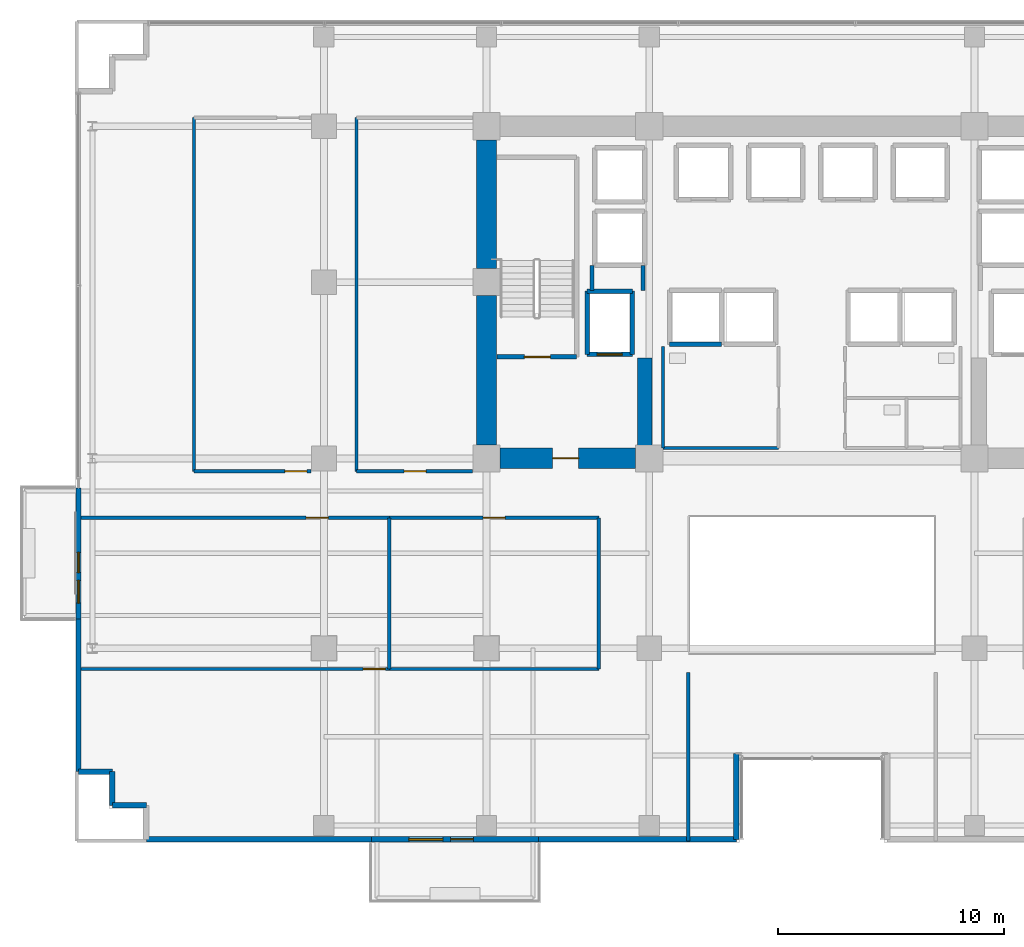
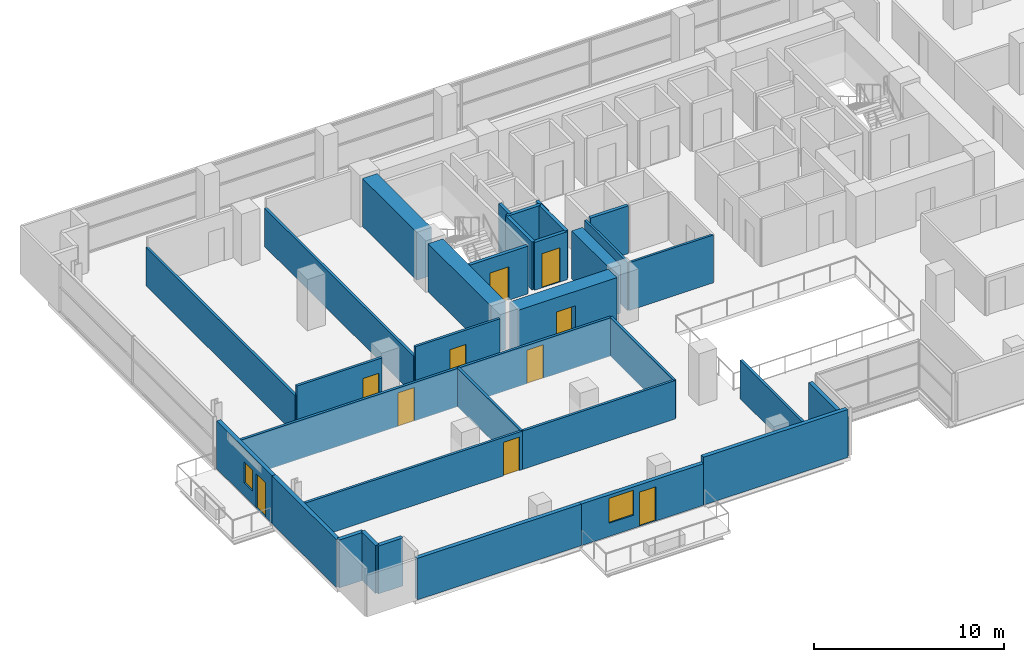
# One storey, part 23 of 30: 34 walls, 10 doors, 2 windows, 12 openings.
"""IFC4 building model written with IfcOpenShell, lengths in metres."""

import ifcopenshell
import ifcopenshell.guid

model = None  # the IFC model being written
_history = None  # IfcOwnerHistory: only IFC2X3 demands one
_inside = {}  # id of a spatial element -> (the spatial element, [elements in it])
_under = {}  # id of a project, library or spatial element -> (it, [spatial elements below it])
_declared = {}  # id of a project -> (the project, [libraries it declares])
_typed = {}  # id of a type object -> (the type object, [elements of that type])
_made_of = {}  # id of a material, layer set ... -> (it, [elements and type objects made of it])


def new_model(schema):
    """Start an empty IFC model of exactly this schema.

    Asked for "IFC4X3", IfcOpenShell would pick the latest addendum, in which some entities
    have other attributes; the version numbers below select the first issue.
    IFC2X3 requires an IfcOwnerHistory on every rooted entity: one is made here for all.
    """
    global model, _history
    if schema == "IFC4X3":
        model = ifcopenshell.file(schema_version=(4, 3, 0, 0))
    else:
        model = ifcopenshell.file(schema=schema)
    _inside.clear()
    _under.clear()
    _declared.clear()
    _typed.clear()
    _made_of.clear()
    _history = None
    if model.schema == "IFC2X3":
        org = make("IfcOrganization", Name="unknown")
        user = make(
            "IfcPersonAndOrganization",
            ThePerson=make("IfcPerson", FamilyName="unknown"),
            TheOrganization=org,
        )
        app = make(
            "IfcApplication",
            ApplicationDeveloper=org,
            Version="unknown",
            ApplicationFullName="unknown",
            ApplicationIdentifier="unknown",
        )
        _history = make(
            "IfcOwnerHistory",
            OwningUser=user,
            OwningApplication=app,
            ChangeAction="ADDED",
            CreationDate=0,
        )
    return model


def make(cls, **values):
    """One entity of the class cls with the attributes given. An attribute that is None is left unset."""
    return model.create_entity(
        cls, **{name: value for name, value in values.items() if value is not None}
    )


def rooted(cls, **values):
    """An entity with a GlobalId (a new one), such as an element, a storey or a relation."""
    return make(cls, GlobalId=ifcopenshell.guid.new(), OwnerHistory=_history, **values)


def si_unit(unit_type, name, prefix=None):
    """IfcSIUnit, for example si_unit("LENGTHUNIT", "METRE", prefix="MILLI")."""
    return make("IfcSIUnit", UnitType=unit_type, Prefix=prefix, Name=name)


def assignment(units):
    """IfcUnitAssignment: the units of a project."""
    return None if units is None else make("IfcUnitAssignment", Units=units)


def point(xyz):
    """IfcCartesianPoint."""
    return None if xyz is None else make("IfcCartesianPoint", Coordinates=xyz)


def direction(xyz):
    """IfcDirection."""
    return None if xyz is None else make("IfcDirection", DirectionRatios=xyz)


def frame(location, z_axis=None, x_axis=None):
    """IfcAxis2Placement3D, a coordinate frame: its origin and axes. An axis left out is left unset."""
    return make(
        "IfcAxis2Placement3D",
        Location=point(location),
        Axis=direction(z_axis),
        RefDirection=direction(x_axis),
    )


def frame_2d(location, x_axis=None):
    """IfcAxis2Placement2D, a coordinate frame in the plane: its origin and x axis."""
    return make(
        "IfcAxis2Placement2D", Location=point(location), RefDirection=direction(x_axis)
    )


def origin():
    """The frame at (0, 0, 0) with its axes left unset."""
    return frame((0.0, 0.0, 0.0))


def place(relative_to, where):
    """IfcLocalPlacement: puts the frame where relative to a parent placement (None: the world)."""
    return make(
        "IfcLocalPlacement", PlacementRelTo=relative_to, RelativePlacement=where
    )


def context(
    kind, dimensions, precision=None, world=None, true_north=None, identifier=None
):
    """IfcGeometricRepresentationContext, for example the 3D "Model" context."""
    return make(
        "IfcGeometricRepresentationContext",
        ContextIdentifier=identifier,
        ContextType=kind,
        CoordinateSpaceDimension=dimensions,
        Precision=precision,
        WorldCoordinateSystem=world,
        TrueNorth=true_north,
    )


def subcontext(parent, identifier, kind, view, scale=None):
    """IfcGeometricRepresentationSubContext, for example "Body" below "Model"."""
    return make(
        "IfcGeometricRepresentationSubContext",
        ContextIdentifier=identifier,
        ContextType=kind,
        ParentContext=parent,
        TargetScale=scale,
        TargetView=view,
    )


def project(units=None, contexts=None):
    """IfcProject with its units and contexts."""
    return rooted(
        "IfcProject",
        Name="project",
        RepresentationContexts=contexts,
        UnitsInContext=assignment(units),
    )


def spatial(cls, under=None, at=None, **own):
    """A site, building, storey or space (cls), placed at a placement, below another one or the project."""
    s = rooted(cls, ObjectPlacement=at, **own)
    if under is not None:
        _under.setdefault(under.id(), (under, []))[1].append(s)
    return s


def profile(cls, at=None, kind="AREA", **sizes):
    """A parametric profile (cls). Its sizes go by their IFC names, for example OverallWidth=200.0."""
    return make(cls, ProfileType=kind, Position=at, **sizes)


def rectangle(**sizes):
    """IfcRectangleProfileDef."""
    return profile("IfcRectangleProfileDef", **sizes)


def extrude(swept, where, along, depth):
    """IfcExtrudedAreaSolid: the profile swept, set in the frame where, extruded along a direction by depth."""
    return make(
        "IfcExtrudedAreaSolid",
        SweptArea=swept,
        Position=where,
        ExtrudedDirection=direction(along),
        Depth=depth,
    )


def shape(context_of_items, identifier, shape_type, items):
    """IfcShapeRepresentation: the items that make up one representation, for example the "Body"."""
    return make(
        "IfcShapeRepresentation",
        ContextOfItems=context_of_items,
        RepresentationIdentifier=identifier,
        RepresentationType=shape_type,
        Items=items,
    )


def source(mapping_origin, context_of_items, identifier, shape_type, items):
    """IfcRepresentationMap: a shape defined once, which mapped items show again and again."""
    return make(
        "IfcRepresentationMap",
        MappingOrigin=mapping_origin,
        MappedRepresentation=shape(context_of_items, identifier, shape_type, items),
    )


def transform(
    local_origin,
    x_axis=None,
    y_axis=None,
    z_axis=None,
    scale=None,
    scale2=None,
    scale3=None,
    uniform=True,
):
    """IfcCartesianTransformationOperator3D, or its non-uniform kind. x_axis, y_axis, z_axis: its Axis1, 2, 3."""
    if uniform:
        return make(
            "IfcCartesianTransformationOperator3D",
            Axis1=direction(x_axis),
            Axis2=direction(y_axis),
            LocalOrigin=point(local_origin),
            Scale=scale,
            Axis3=direction(z_axis),
        )
    return make(
        "IfcCartesianTransformationOperator3DnonUniform",
        Axis1=direction(x_axis),
        Axis2=direction(y_axis),
        LocalOrigin=point(local_origin),
        Scale=scale,
        Axis3=direction(z_axis),
        Scale2=scale2,
        Scale3=scale3,
    )


def mapped(mapping_source, mapping_target):
    """IfcMappedItem: shows the shape of a source again, moved by a transform."""
    return make(
        "IfcMappedItem", MappingSource=mapping_source, MappingTarget=mapping_target
    )


def material(Name=None, Category=None):
    """IfcMaterial."""
    return make("IfcMaterial", Name=Name, Category=Category)


def layer(
    of_material, thickness, ventilated=None, Name=None, Category=None, Priority=None
):
    """IfcMaterialLayer: one layer of a wall or slab, of a material (None: an air gap)."""
    return make(
        "IfcMaterialLayer",
        Material=of_material,
        LayerThickness=thickness,
        IsVentilated=ventilated,
        Name=Name,
        Category=Category,
        Priority=Priority,
    )


def layer_set(layers, Name=None):
    """IfcMaterialLayerSet."""
    return make("IfcMaterialLayerSet", MaterialLayers=layers, LayerSetName=Name)


def made_of(thing, what):
    """Note that an element or type object is made of a material, layer set ...; save() writes the relation."""
    if what is not None:
        _made_of.setdefault(what.id(), (what, []))[1].append(thing)
    return thing


def type_object(cls, material=None, **own):
    """A type object (cls), such as IfcWallType, which elements share."""
    return made_of(rooted(cls, **own), material)


def element(
    cls,
    number,
    at=None,
    inside=None,
    cuts=None,
    type_object=None,
    material=None,
    context=None,
    identifier="Body",
    shape_type=None,
    held_by="IfcProductDefinitionShape",
    body=None,
    shapes=None,
    **own,
):
    """One element of the class cls, such as IfcWall. Its Tag is "e" and its number.

    at: its placement. inside: the storey or other place that contains it. cuts: it is an
    opening in that element (IfcRelVoidsElement). A single representation is given by context,
    identifier, shape_type and body (its items); several are given by shapes. held_by: the class
    of the entity that holds the representations. save() writes the other relations.
    """
    e = rooted(cls, Tag="e%d" % number, ObjectPlacement=at, **own)
    if body is not None:
        shapes = [shape(context, identifier, shape_type, body)]
    if shapes is not None:
        e.Representation = make(held_by, Representations=shapes)
    if inside is not None:
        _inside.setdefault(inside.id(), (inside, []))[1].append(e)
    if cuts is not None:
        rooted(
            "IfcRelVoidsElement", RelatingBuildingElement=cuts, RelatedOpeningElement=e
        )
    if type_object is not None:
        _typed.setdefault(type_object.id(), (type_object, []))[1].append(e)
    return made_of(e, material)


def fill(opening, filler):
    """IfcRelFillsElement: the door or window that sits in an opening."""
    return rooted(
        "IfcRelFillsElement",
        RelatingOpeningElement=opening,
        RelatedBuildingElement=filler,
    )


def aggregate(whole, parts):
    """IfcRelAggregates: a whole, such as a stair, and the parts it consists of."""
    return rooted("IfcRelAggregates", RelatingObject=whole, RelatedObjects=parts)


def save(model, path):
    """Write the relations noted so far, then the file.

    IfcRelAggregates (storeys below a building ...), IfcRelContainedInSpatialStructure (elements
    in a storey), IfcRelDefinesByType, IfcRelAssociatesMaterial and IfcRelDeclares: one each for
    every whole, place, type object, material and project.
    """
    for whole, parts in _under.values():
        aggregate(whole, parts)
    for where, things in _inside.values():
        rooted(
            "IfcRelContainedInSpatialStructure",
            RelatedElements=things,
            RelatingStructure=where,
        )
    for kind, things in _typed.values():
        rooted("IfcRelDefinesByType", RelatedObjects=things, RelatingType=kind)
    for what, things in _made_of.values():
        rooted("IfcRelAssociatesMaterial", RelatedObjects=things, RelatingMaterial=what)
    for by, libraries in _declared.values():
        rooted("IfcRelDeclares", RelatingContext=by, RelatedDefinitions=libraries)
    model.write(path)


model = new_model("IFC4")

# Units and contexts
model_context = context("Model", 3, precision=1e-05, world=origin(), true_north=direction((0.0, 1.0)))
body_context = subcontext(model_context, "Body", "Model", "MODEL_VIEW")
ifc_project = project(units=[si_unit("LENGTHUNIT", "METRE"), si_unit("AREAUNIT", "SQUARE_METRE"), si_unit("VOLUMEUNIT", "CUBIC_METRE"), si_unit("PLANEANGLEUNIT", "RADIAN"), si_unit("MASSUNIT", "GRAM", prefix="KILO")], contexts=[model_context])

# Site, building, storey
site_placement = place(None, origin())
site = spatial("IfcSite", under=ifc_project, at=site_placement, CompositionType="ELEMENT")
building_placement = place(site_placement, origin())
building = spatial("IfcBuilding", under=site, at=building_placement, Name="Zarnakvel Exchange Tower", CompositionType="ELEMENT")
storey_placement = place(building_placement, frame((0.0, 0.0, 34.0)))
storey = spatial("IfcBuildingStorey", under=building, at=storey_placement, Name="L08", CompositionType="ELEMENT", Elevation=34.0)

# Walls
ifc_material_1 = material(Name="Concrete C80/95", Category="concrete")
ifc_layer_1 = layer(ifc_material_1, 0.89990234375)
ifc_layer_set_1 = layer_set([ifc_layer_1], Name="Concrete C80/95")
wall_type_1 = type_object("IfcWallType", Name="CW-C1", PredefinedType="SHEAR", material=ifc_layer_set_1)
wall_1_placement = place(storey_placement, frame((-14.39990234375, -0.60009765625, 0.0), z_axis=(0.0, 0.0, 1.0), x_axis=(0.0, 1.0, 0.0)))
element("IfcWall", 1, at=wall_1_placement, inside=storey, type_object=wall_type_1, Name="L08 Rear Core Shear Wall W1 (CW-C1)", PredefinedType="SHEAR", context=body_context, shape_type="SweptSolid", body=[
    extrude(rectangle(XDim=6.60009765625, YDim=0.89990234375, at=frame_2d((3.300048828125, 0.0))), origin(), (0.0, 0.0, 1.0), 3.074951171875),
])
wall_2_placement = place(storey_placement, frame((-14.39990234375, 7.199951171875, 0.0), z_axis=(0.0, 0.0, 1.0), x_axis=(0.0, 1.0, 0.0)))
element("IfcWall", 2, at=wall_2_placement, inside=storey, type_object=wall_type_1, Name="L08 Rear Core Shear Wall W2 (CW-C1)", PredefinedType="SHEAR", context=body_context, shape_type="SweptSolid", body=[
    extrude(rectangle(XDim=5.699951171875, YDim=0.89990234375, at=frame_2d((2.85009765625, 0.0))), origin(), (0.0, 0.0, 1.0), 3.074951171875),
])

# Wall, opening, door
wall_3_placement = place(storey_placement, frame((-7.800048828125, -1.199951171875, 0.0), z_axis=(0.0, 0.0, 1.0), x_axis=(-1.0, 0.0, 0.0)))
wall_3 = element("IfcWall", 3, at=wall_3_placement, inside=storey, type_object=wall_type_1, Name="L08 Rear Core Shear Wall SW (CW-C1)", PredefinedType="SHEAR", context=body_context, shape_type="SweptSolid", body=[
    extrude(rectangle(XDim=6.0, YDim=0.89990234375, at=frame_2d((3.0, 0.0))), origin(), (0.0, 0.0, 1.0), 3.074951171875),
])
opening_1_placement = place(wall_3_placement, frame((2.52490234375, 0.0, 0.0)))
opening_1 = element("IfcOpeningElement", 4, at=opening_1_placement, cuts=wall_3, Name="Opening D-L08-03", PredefinedType="OPENING", context=body_context, shape_type="SweptSolid", body=[
    extrude(rectangle(XDim=1.14990234375, YDim=2.14990234375, at=frame_2d((0.574951171875, 1.074951171875))), frame((0.0, 0.4599609375, 0.0), z_axis=(0.0, -1.0, 0.0), x_axis=(1.0, 0.0, 0.0)), (0.0, 0.0, 1.0), 0.919921875),
])
ifc_material_2 = material(Name="Painted Galvanised Steel S355", Category="steel")
door_type_1 = type_object("IfcDoorType", Name="DT-04", OperationType="NOTDEFINED", PredefinedType="DOOR", material=ifc_material_2)
shared_shape_1 = source(origin(), body_context, "Body", "SweptSolid", [
    extrude(rectangle(XDim=1.14990234375, YDim=2.14990234375, at=frame_2d((0.574951171875, 1.074951171875))), frame((0.0, 0.02490234375, 0.0), z_axis=(0.0, -1.0, 0.0), x_axis=(1.0, 0.0, 0.0)), (0.0, 0.0, 1.0), 0.050048828125),
])
door_1_placement = place(opening_1_placement, origin())
door_1 = element("IfcDoor", 5, at=door_1_placement, inside=storey, type_object=door_type_1, Name="L08 Firefighting Lobby West Door D-L08-03", OperationType="SINGLE_SWING_LEFT", OverallHeight=2.14990234375, OverallWidth=1.14990234375, PredefinedType="DOOR", context=body_context, shape_type="MappedRepresentation", body=[
    mapped(shared_shape_1, transform((0.0, 0.0, 0.0), x_axis=(1.0, 0.0, 0.0), y_axis=(0.0, 1.0, 0.0), z_axis=(0.0, 0.0, 1.0), scale=1.0)),
])
fill(opening_1, door_1)

# Wall
ifc_layer_2 = layer(ifc_material_1, 0.64990234375)
ifc_layer_set_2 = layer_set([ifc_layer_2], Name="Concrete C80/95")
wall_type_2 = type_object("IfcWallType", Name="CW-C2", PredefinedType="SHEAR", material=ifc_layer_set_2)
wall_4_placement = place(storey_placement, frame((-7.39990234375, -0.75, 0.0), z_axis=(0.0, 0.0, 1.0), x_axis=(0.0, 1.0, 0.0)))
element("IfcWall", 6, at=wall_4_placement, inside=storey, type_object=wall_type_2, Name="L08 Rear Core Shear Wall IW (CW-C2)", PredefinedType="SHEAR", context=body_context, shape_type="SweptSolid", body=[
    extrude(rectangle(XDim=4.0, YDim=0.64990234375, at=frame_2d((2.0, 0.0))), origin(), (0.0, 0.0, 1.0), 3.074951171875),
])

# Wall, openings, door, window
ifc_material_3 = material(Name="Precast concrete C40/50", Category="concrete")
ifc_layer_3 = layer(ifc_material_3, 0.239990234375)
ifc_layer_set_3 = layer_set([ifc_layer_3], Name="Precast concrete C40/50")
wall_type_3 = type_object("IfcWallType", Name="EW-02", PredefinedType="SOLIDWALL", material=ifc_layer_set_3)
wall_5_placement = place(storey_placement, frame((-12.10009765625, -18.06005859375, 0.0), z_axis=(0.0, 0.0, 1.0), x_axis=(-1.0, 0.0, 0.0)))
wall_5 = element("IfcWall", 7, at=wall_5_placement, inside=storey, type_object=wall_type_3, Name="L08 Exterior Precast Spandrel Wall EW-BAL-L08-SW (EW-02)", PredefinedType="SOLIDWALL", context=body_context, shape_type="SweptSolid", body=[
    extrude(rectangle(XDim=7.39990234375, YDim=0.239990234375, at=frame_2d((3.699951171875, 0.0))), origin(), (0.0, 0.0, 1.0), 2.6650390625),
])
opening_2_placement = place(wall_5_placement, frame((2.885986328125, 0.0, 0.0)))
opening_2 = element("IfcOpeningElement", 8, at=opening_2_placement, cuts=wall_5, Name="Opening BD-L08-01", PredefinedType="OPENING", context=body_context, shape_type="SweptSolid", body=[
    extrude(rectangle(XDim=1.0, YDim=2.199951171875, at=frame_2d((0.5, 1.10009765625))), frame((0.0, 0.1298828125, 0.0), z_axis=(0.0, -1.0, 0.0), x_axis=(1.0, 0.0, 0.0)), (0.0, 0.0, 1.0), 0.260009765625),
])
opening_3_placement = place(wall_5_placement, frame((4.236083984375, 0.0, 0.85009765625)))
opening_3 = element("IfcOpeningElement", 9, at=opening_3_placement, cuts=wall_5, Name="Opening WN-03", PredefinedType="OPENING", context=body_context, shape_type="SweptSolid", body=[
    extrude(rectangle(XDim=1.5, YDim=1.60009765625, at=frame_2d((0.75, 0.800048828125))), frame((0.0, 0.1298828125, 0.0), z_axis=(0.0, -1.0, 0.0), x_axis=(1.0, 0.0, 0.0)), (0.0, 0.0, 1.0), 0.260009765625),
])
ifc_material_4 = material(Name="Architectural Bronze Anodised Aluminium", Category="aluminium")
door_type_2 = type_object("IfcDoorType", Name="DT-09", OperationType="NOTDEFINED", PredefinedType="DOOR", material=ifc_material_4)
shared_shape_2 = source(origin(), body_context, "Body", "SweptSolid", [
    extrude(rectangle(XDim=1.0, YDim=2.199951171875, at=frame_2d((0.5, 1.10009765625))), frame((0.0, 0.02490234375, 0.0), z_axis=(0.0, -1.0, 0.0), x_axis=(1.0, 0.0, 0.0)), (0.0, 0.0, 1.0), 0.050048828125),
])
door_2_placement = place(opening_2_placement, origin())
door_2 = element("IfcDoor", 10, at=door_2_placement, inside=storey, type_object=door_type_2, Name="L08 Planted Loggia Balcony Door BD-L08-01", OperationType="SINGLE_SWING_RIGHT", OverallHeight=2.199951171875, OverallWidth=1.0, PredefinedType="DOOR", context=body_context, shape_type="MappedRepresentation", body=[
    mapped(shared_shape_2, transform((0.0, 0.0, 0.0), x_axis=(1.0, 0.0, 0.0), y_axis=(0.0, 1.0, 0.0), z_axis=(0.0, 0.0, 1.0), scale=1.0)),
])
fill(opening_2, door_2)
ifc_material_5 = material(Name="Double Low-E Laminated Vision Glass", Category="glass")
window_type_1 = type_object("IfcWindowType", Name="WN-03", PartitioningType="SINGLE_PANEL", PredefinedType="WINDOW", material=ifc_material_5)
shared_shape_3 = source(origin(), body_context, "Body", "SweptSolid", [
    extrude(rectangle(XDim=1.5, YDim=1.60009765625, at=frame_2d((0.75, 0.800048828125))), frame((0.0, 0.030029296875, 0.0), z_axis=(0.0, -1.0, 0.0), x_axis=(1.0, 0.0, 0.0)), (0.0, 0.0, 1.0), 0.06005859375),
])
window_1_placement = place(opening_3_placement, origin())
window_1 = element("IfcWindow", 11, at=window_1_placement, inside=storey, type_object=window_type_1, Name="L08 Loggia Daylight Window (WN-03)", OverallHeight=1.60009765625, OverallWidth=1.5, PartitioningType="SINGLE_PANEL", PredefinedType="WINDOW", context=body_context, shape_type="MappedRepresentation", body=[
    mapped(shared_shape_3, transform((0.0, 0.0, 0.0), x_axis=(1.0, 0.0, 0.0), y_axis=(0.0, 1.0, 0.0), z_axis=(0.0, 0.0, 1.0), scale=1.0)),
])
fill(opening_3, window_1)

wall_6_placement = place(storey_placement, frame((-32.4599609375, -8.300048828125, 0.0), z_axis=(0.0, 0.0, 1.0), x_axis=(0.0, 1.0, 0.0)))
wall_6 = element("IfcWall", 12, at=wall_6_placement, inside=storey, type_object=wall_type_3, Name="L08 Exterior Precast Spandrel Wall EW-BAL-L08-W (EW-02)", PredefinedType="SOLIDWALL", context=body_context, shape_type="SweptSolid", body=[
    extrude(rectangle(XDim=5.800048828125, YDim=0.239990234375, at=frame_2d((2.89990234375, 0.0))), origin(), (0.0, 0.0, 1.0), 3.074951171875),
])
opening_4_placement = place(wall_6_placement, frame((0.696044921875, 0.0, 0.0)))
opening_4 = element("IfcOpeningElement", 13, at=opening_4_placement, cuts=wall_6, Name="Opening BD-L08-03", PredefinedType="OPENING", context=body_context, shape_type="SweptSolid", body=[
    extrude(rectangle(XDim=1.0, YDim=2.199951171875, at=frame_2d((0.5, 1.10009765625))), frame((0.0, 0.1298828125, 0.0), z_axis=(0.0, -1.0, 0.0), x_axis=(1.0, 0.0, 0.0)), (0.0, 0.0, 1.0), 0.260009765625),
])
opening_5_placement = place(wall_6_placement, frame((2.0458984375, 0.0, 0.85009765625)))
opening_5 = element("IfcOpeningElement", 14, at=opening_5_placement, cuts=wall_6, Name="Opening WN-06", PredefinedType="OPENING", context=body_context, shape_type="SweptSolid", body=[
    extrude(rectangle(XDim=0.89990234375, YDim=1.35009765625, at=frame_2d((0.449951171875, 0.675048828125))), frame((0.0, 0.1298828125, 0.0), z_axis=(0.0, -1.0, 0.0), x_axis=(1.0, 0.0, 0.0)), (0.0, 0.0, 1.0), 0.260009765625),
])
door_3_placement = place(opening_4_placement, origin())
door_3 = element("IfcDoor", 15, at=door_3_placement, inside=storey, type_object=door_type_2, Name="L08 Planted Loggia Balcony Door BD-L08-03", OperationType="SINGLE_SWING_RIGHT", OverallHeight=2.199951171875, OverallWidth=1.0, PredefinedType="DOOR", context=body_context, shape_type="MappedRepresentation", body=[
    mapped(shared_shape_2, transform((0.0, 0.0, 0.0), x_axis=(1.0, 0.0, 0.0), y_axis=(0.0, 1.0, 0.0), z_axis=(0.0, 0.0, 1.0), scale=1.0)),
])
fill(opening_4, door_3)
window_type_2 = type_object("IfcWindowType", Name="WN-06", PartitioningType="SINGLE_PANEL", PredefinedType="WINDOW", material=ifc_material_5)
shared_shape_4 = source(origin(), body_context, "Body", "SweptSolid", [
    extrude(rectangle(XDim=0.89990234375, YDim=1.35009765625, at=frame_2d((0.449951171875, 0.675048828125))), frame((0.0, 0.030029296875, 0.0), z_axis=(0.0, -1.0, 0.0), x_axis=(1.0, 0.0, 0.0)), (0.0, 0.0, 1.0), 0.06005859375),
])
window_2_placement = place(opening_5_placement, origin())
window_2 = element("IfcWindow", 16, at=window_2_placement, inside=storey, type_object=window_type_2, Name="L08 Loggia Daylight Window (WN-06)", OverallHeight=1.35009765625, OverallWidth=0.89990234375, PartitioningType="SINGLE_PANEL", PredefinedType="WINDOW", context=body_context, shape_type="MappedRepresentation", body=[
    mapped(shared_shape_4, transform((0.0, 0.0, 0.0), x_axis=(1.0, 0.0, 0.0), y_axis=(0.0, 1.0, 0.0), z_axis=(0.0, 0.0, 1.0), scale=1.0)),
])
fill(opening_5, window_2)

# Walls
wall_7_placement = place(storey_placement, frame((-32.4599609375, -8.300048828125, 0.0), z_axis=(0.0, 0.0, 1.0), x_axis=(0.0, -1.0, 0.0)))
element("IfcWall", 17, at=wall_7_placement, inside=storey, type_object=wall_type_3, Name="L08 Exterior Precast Spandrel Wall EWC-L08-01 (EW-02)", PredefinedType="SOLIDWALL", context=body_context, shape_type="SweptSolid", body=[
    extrude(rectangle(XDim=6.760009765625, YDim=0.239990234375, at=frame_2d((3.3798828125, 0.0))), origin(), (0.0, 0.0, 1.0), 3.074951171875),
])
wall_8_placement = place(storey_placement, frame((-3.340087890625, -18.06005859375, 0.0), z_axis=(0.0, 0.0, 1.0), x_axis=(0.0, 1.0, 0.0)))
element("IfcWall", 18, at=wall_8_placement, inside=storey, type_object=wall_type_3, Name="L08 Exterior Precast Spandrel Wall EWC-L08-20 (EW-02)", PredefinedType="SOLIDWALL", context=body_context, shape_type="SweptSolid", body=[
    extrude(rectangle(XDim=3.800048828125, YDim=0.239990234375, at=frame_2d((1.89990234375, 0.0))), origin(), (0.0, 0.0, 1.0), 2.465087890625),
])
wall_9_placement = place(storey_placement, frame((-12.10009765625, -18.06005859375, 0.0), z_axis=(0.0, 0.0, 1.0), x_axis=(1.0, 0.0, 0.0)))
element("IfcWall", 19, at=wall_9_placement, inside=storey, type_object=wall_type_3, Name="L08 Exterior Precast Spandrel Wall EWC-L08-21 (EW-02)", PredefinedType="SOLIDWALL", context=body_context, shape_type="SweptSolid", body=[
    extrude(rectangle(XDim=8.760009765625, YDim=0.239990234375, at=frame_2d((4.3798828125, 0.0))), origin(), (0.0, 0.0, 1.0), 3.074951171875),
])
wall_10_placement = place(storey_placement, frame((-29.4599609375, -18.06005859375, 0.0), z_axis=(0.0, 0.0, 1.0), x_axis=(1.0, 0.0, 0.0)))
element("IfcWall", 20, at=wall_10_placement, inside=storey, type_object=wall_type_3, Name="L08 Exterior Precast Spandrel Wall EWC-L08-22 (EW-02)", PredefinedType="SOLIDWALL", context=body_context, shape_type="SweptSolid", body=[
    extrude(rectangle(XDim=9.9599609375, YDim=0.239990234375, at=frame_2d((4.97998046875, 0.0))), origin(), (0.0, 0.0, 1.0), 2.6650390625),
])
for number, where, z_axis, x_axis, name in (
    (21, (-30.9599609375, -16.56005859375, 0.0), (0.0, 0.0, 1.0), (1.0, 0.0, 0.0), "L08 Exterior Precast Spandrel Wall EWC-L08-24 (EW-02)"),
    (22, (-30.9599609375, -15.06005859375, 0.0), (0.0, 0.0, 1.0), (0.0, -1.0, 0.0), "L08 Exterior Precast Spandrel Wall EWC-L08-25 (EW-02)"),
    (23, (-32.4599609375, -15.06005859375, 0.0), (0.0, 0.0, 1.0), (1.0, 0.0, 0.0), "L08 Exterior Precast Spandrel Wall EWC-L08-26 (EW-02)"),
):
    element("IfcWall", number, at=place(storey_placement, frame(where, z_axis=z_axis, x_axis=x_axis)), inside=storey, type_object=wall_type_3, Name=name, PredefinedType="SOLIDWALL", context=body_context, shape_type="SweptSolid", body=[
        extrude(rectangle(XDim=1.5, YDim=0.239990234375, at=frame_2d((0.75, 0.0))), origin(), (0.0, 0.0, 1.0), 3.074951171875),
    ])

# Wall, opening, door
ifc_material_6 = material(Name="Fire-Rated Gypsum Stud Partition", Category="gypsum")
ifc_layer_4 = layer(ifc_material_6, 0.14990234375)
ifc_layer_set_4 = layer_set([ifc_layer_4], Name="Fire-Rated Gypsum Stud Partition")
wall_type_4 = type_object("IfcWallType", Name="PT-01", PredefinedType="PARTITIONING", material=ifc_layer_set_4)
wall_11_placement = place(storey_placement, frame((-18.701904296875, -10.52001953125, 0.0), z_axis=(0.0, 0.0, 1.0), x_axis=(-1.0, 0.0, 0.0)))
wall_11 = element("IfcWall", 24, at=wall_11_placement, inside=storey, type_object=wall_type_4, Name="L08 Partition Wall PWALL-L08-022 (PT-01)", PredefinedType="PARTITIONING", context=body_context, shape_type="SweptSolid", body=[
    extrude(rectangle(XDim=13.828125, YDim=0.14990234375, at=frame_2d((6.9140625, 0.0))), origin(), (0.0, 0.0, 1.0), 2.465087890625),
])
opening_6_placement = place(wall_11_placement, frame((0.179931640625, 0.0, 0.0)))
opening_6 = element("IfcOpeningElement", 25, at=opening_6_placement, cuts=wall_11, Name="Opening D-L08-11", PredefinedType="OPENING", context=body_context, shape_type="SweptSolid", body=[
    extrude(rectangle(XDim=0.97998046875, YDim=2.14990234375, at=frame_2d((0.489990234375, 1.074951171875))), frame((0.0, 0.0849609375, 0.0), z_axis=(0.0, -1.0, 0.0), x_axis=(1.0, 0.0, 0.0)), (0.0, 0.0, 1.0), 0.169921875),
])
ifc_material_7 = material(Name="Timber Acoustic Veneer", Category="wood")
door_type_3 = type_object("IfcDoorType", Name="DT-05", OperationType="NOTDEFINED", PredefinedType="DOOR", material=ifc_material_7)
shared_shape_5 = source(origin(), body_context, "Body", "SweptSolid", [
    extrude(rectangle(XDim=0.97998046875, YDim=2.14990234375, at=frame_2d((0.489990234375, 1.074951171875))), frame((0.0, 0.02490234375, 0.0), z_axis=(0.0, -1.0, 0.0), x_axis=(1.0, 0.0, 0.0)), (0.0, 0.0, 1.0), 0.050048828125),
])
door_4_placement = place(opening_6_placement, origin())
door_4 = element("IfcDoor", 26, at=door_4_placement, inside=storey, type_object=door_type_3, Name="L08 Institutional Dealing Room Door D-L08-11", OperationType="SINGLE_SWING_LEFT", OverallHeight=2.14990234375, OverallWidth=0.97998046875, PredefinedType="DOOR", context=body_context, shape_type="MappedRepresentation", body=[
    mapped(shared_shape_5, transform((0.0, 0.0, 0.0), x_axis=(1.0, 0.0, 0.0), y_axis=(0.0, 1.0, 0.0), z_axis=(0.0, 0.0, 1.0), scale=1.0)),
])
fill(opening_6, door_4)

wall_12_placement = place(storey_placement, frame((-32.530029296875, -3.830078125, 0.0), z_axis=(0.0, 0.0, 1.0), x_axis=(1.0, 0.0, 0.0)))
wall_12 = element("IfcWall", 27, at=wall_12_placement, inside=storey, type_object=wall_type_4, Name="L08 Partition Wall PWALL-L08-023 (PT-01)", PredefinedType="PARTITIONING", context=body_context, shape_type="SweptSolid", body=[
    extrude(rectangle(XDim=13.828125, YDim=0.14990234375, at=frame_2d((6.9140625, 0.0))), origin(), (0.0, 0.0, 1.0), 2.465087890625),
])
opening_7_placement = place(wall_12_placement, frame((10.14892578125, 0.0, 0.0)))
opening_7 = element("IfcOpeningElement", 28, at=opening_7_placement, cuts=wall_12, Name="Opening D-L08-09", PredefinedType="OPENING", context=body_context, shape_type="SweptSolid", body=[
    extrude(rectangle(XDim=0.97998046875, YDim=2.14990234375, at=frame_2d((0.489990234375, 1.074951171875))), frame((0.0, 0.0849609375, 0.0), z_axis=(0.0, -1.0, 0.0), x_axis=(1.0, 0.0, 0.0)), (0.0, 0.0, 1.0), 0.169921875),
])
door_5_placement = place(opening_7_placement, origin())
door_5 = element("IfcDoor", 29, at=door_5_placement, inside=storey, type_object=door_type_3, Name="L08 Institutional Dealing Room Door D-L08-09", OperationType="SINGLE_SWING_LEFT", OverallHeight=2.14990234375, OverallWidth=0.97998046875, PredefinedType="DOOR", context=body_context, shape_type="MappedRepresentation", body=[
    mapped(shared_shape_5, transform((0.0, 0.0, 0.0), x_axis=(1.0, 0.0, 0.0), y_axis=(0.0, 1.0, 0.0), z_axis=(0.0, 0.0, 1.0), scale=1.0)),
])
fill(opening_7, door_5)

# Walls
wall_13_placement = place(storey_placement, frame((-18.701904296875, -3.830078125, 0.0), z_axis=(0.0, 0.0, 1.0), x_axis=(0.0, -1.0, 0.0)))
element("IfcWall", 30, at=wall_13_placement, inside=storey, type_object=wall_type_4, Name="L08 Partition Wall PWALL-L08-025 (PT-01)", PredefinedType="PARTITIONING", context=body_context, shape_type="SweptSolid", body=[
    extrude(rectangle(XDim=6.68994140625, YDim=0.14990234375, at=frame_2d((3.344970703125, 0.0))), origin(), (0.0, 0.0, 1.0), 2.465087890625),
])
wall_14_placement = place(storey_placement, frame((-9.429931640625, -10.52001953125, 0.0), z_axis=(0.0, 0.0, 1.0), x_axis=(-1.0, 0.0, 0.0)))
element("IfcWall", 31, at=wall_14_placement, inside=storey, type_object=wall_type_4, Name="L08 Partition Wall PWALL-L08-026 (PT-01)", PredefinedType="PARTITIONING", context=body_context, shape_type="SweptSolid", body=[
    extrude(rectangle(XDim=9.27197265625, YDim=0.14990234375, at=frame_2d((4.635986328125, 0.0))), origin(), (0.0, 0.0, 1.0), 2.465087890625),
])

# Wall, opening, door
wall_15_placement = place(storey_placement, frame((-18.701904296875, -3.830078125, 0.0), z_axis=(0.0, 0.0, 1.0), x_axis=(1.0, 0.0, 0.0)))
wall_15 = element("IfcWall", 32, at=wall_15_placement, inside=storey, type_object=wall_type_4, Name="L08 Partition Wall PWALL-L08-027 (PT-01)", PredefinedType="PARTITIONING", context=body_context, shape_type="SweptSolid", body=[
    extrude(rectangle(XDim=9.27197265625, YDim=0.14990234375, at=frame_2d((4.635986328125, 0.0))), origin(), (0.0, 0.0, 1.0), 2.465087890625),
])
opening_8_placement = place(wall_15_placement, frame((4.14599609375, 0.0, 0.0)))
opening_8 = element("IfcOpeningElement", 33, at=opening_8_placement, cuts=wall_15, Name="Opening D-L08-10", PredefinedType="OPENING", context=body_context, shape_type="SweptSolid", body=[
    extrude(rectangle(XDim=0.97998046875, YDim=2.14990234375, at=frame_2d((0.489990234375, 1.074951171875))), frame((0.0, 0.0849609375, 0.0), z_axis=(0.0, -1.0, 0.0), x_axis=(1.0, 0.0, 0.0)), (0.0, 0.0, 1.0), 0.169921875),
])
door_6_placement = place(opening_8_placement, origin())
door_6 = element("IfcDoor", 34, at=door_6_placement, inside=storey, type_object=door_type_3, Name="L08 Clearing Office Door D-L08-10", OperationType="SINGLE_SWING_RIGHT", OverallHeight=2.14990234375, OverallWidth=0.97998046875, PredefinedType="DOOR", context=body_context, shape_type="MappedRepresentation", body=[
    mapped(shared_shape_5, transform((0.0, 0.0, 0.0), x_axis=(1.0, 0.0, 0.0), y_axis=(0.0, 1.0, 0.0), z_axis=(0.0, 0.0, 1.0), scale=1.0)),
])
fill(opening_8, door_6)

# Walls
wall_16_placement = place(storey_placement, frame((-9.429931640625, -3.830078125, 0.0), z_axis=(0.0, 0.0, 1.0), x_axis=(0.0, -1.0, 0.0)))
element("IfcWall", 35, at=wall_16_placement, inside=storey, type_object=wall_type_4, Name="L08 Partition Wall PWALL-L08-028 (PT-01)", PredefinedType="PARTITIONING", context=body_context, shape_type="SweptSolid", body=[
    extrude(rectangle(XDim=6.68994140625, YDim=0.14990234375, at=frame_2d((3.344970703125, 0.0))), origin(), (0.0, 0.0, 1.0), 2.465087890625),
])
wall_17_placement = place(storey_placement, frame((-5.47998046875, -10.679931640625, 0.0), z_axis=(0.0, 0.0, 1.0), x_axis=(0.0, -1.0, 0.0)))
element("IfcWall", 36, at=wall_17_placement, inside=storey, type_object=wall_type_4, Name="L08 Partition Wall PWALL-L08-031 (PT-01)", PredefinedType="PARTITIONING", context=body_context, shape_type="SweptSolid", body=[
    extrude(rectangle(XDim=7.449951171875, YDim=0.14990234375, at=frame_2d((3.72509765625, 0.0))), origin(), (0.0, 0.0, 1.0), 2.465087890625),
])

# Wall, opening, door
wall_18_placement = place(storey_placement, frame((-22.169921875, -1.77001953125, 0.0), z_axis=(0.0, 0.0, 1.0), x_axis=(-1.0, 0.0, 0.0)))
wall_18 = element("IfcWall", 37, at=wall_18_placement, inside=storey, type_object=wall_type_4, Name="L08 Partition Wall PWALL-L08-042 (PT-01)", PredefinedType="PARTITIONING", context=body_context, shape_type="SweptSolid", body=[
    extrude(rectangle(XDim=5.176513671875, YDim=0.14990234375, at=frame_2d((2.58837890625, 0.0))), origin(), (0.0, 0.0, 1.0), 3.074951171875),
])
opening_9_placement = place(wall_18_placement, frame((0.179931640625, 0.0, 0.0)))
opening_9 = element("IfcOpeningElement", 38, at=opening_9_placement, cuts=wall_18, Name="Opening D-L08-15", PredefinedType="OPENING", context=body_context, shape_type="SweptSolid", body=[
    extrude(rectangle(XDim=0.97998046875, YDim=2.14990234375, at=frame_2d((0.489990234375, 1.074951171875))), frame((0.0, 0.0849609375, 0.0), z_axis=(0.0, -1.0, 0.0), x_axis=(1.0, 0.0, 0.0)), (0.0, 0.0, 1.0), 0.169921875),
])
door_7_placement = place(opening_9_placement, origin())
door_7 = element("IfcDoor", 39, at=door_7_placement, inside=storey, type_object=door_type_3, Name="L08 Breakout Pantry Door D-L08-15", OperationType="SINGLE_SWING_LEFT", OverallHeight=2.14990234375, OverallWidth=0.97998046875, PredefinedType="DOOR", context=body_context, shape_type="MappedRepresentation", body=[
    mapped(shared_shape_5, transform((0.0, 0.0, 0.0), x_axis=(1.0, 0.0, 0.0), y_axis=(0.0, 1.0, 0.0), z_axis=(0.0, 0.0, 1.0), scale=1.0)),
])
fill(opening_9, door_7)

# Walls
for number, where, z_axis, x_axis, name in (
    (40, (-27.346435546875, -1.77001953125, 0.0), (0.0, 0.0, 1.0), (0.0, 1.0, 0.0), "L08 Partition Wall PWALL-L08-044 (PT-01)"),
    (41, (-20.153564453125, 13.8798828125, 0.0), (0.0, 0.0, 1.0), (0.0, -1.0, 0.0), "L08 Partition Wall PWALL-L08-045 (PT-01)"),
):
    element("IfcWall", number, at=place(storey_placement, frame(where, z_axis=z_axis, x_axis=x_axis)), inside=storey, type_object=wall_type_4, Name=name, PredefinedType="PARTITIONING", context=body_context, shape_type="SweptSolid", body=[
        extrude(rectangle(XDim=15.64990234375, YDim=0.14990234375, at=frame_2d((7.824951171875, 0.0))), origin(), (0.0, 0.0, 1.0), 2.465087890625),
    ])

# Wall, opening, door
wall_19_placement = place(storey_placement, frame((-15.02001953125, -1.77001953125, 0.0), z_axis=(0.0, 0.0, 1.0), x_axis=(-1.0, 0.0, 0.0)))
wall_19 = element("IfcWall", 42, at=wall_19_placement, inside=storey, type_object=wall_type_4, Name="L08 Partition Wall PWALL-L08-046 (PT-01)", PredefinedType="PARTITIONING", context=body_context, shape_type="SweptSolid", body=[
    extrude(rectangle(XDim=5.133544921875, YDim=0.14990234375, at=frame_2d((2.56689453125, 0.0))), origin(), (0.0, 0.0, 1.0), 3.074951171875),
])
opening_10_placement = place(wall_19_placement, frame((2.052001953125, 0.0, 0.0)))
opening_10 = element("IfcOpeningElement", 43, at=opening_10_placement, cuts=wall_19, Name="Opening D-L08-16", PredefinedType="OPENING", context=body_context, shape_type="SweptSolid", body=[
    extrude(rectangle(XDim=0.97998046875, YDim=2.14990234375, at=frame_2d((0.489990234375, 1.074951171875))), frame((0.0, 0.0849609375, 0.0), z_axis=(0.0, -1.0, 0.0), x_axis=(1.0, 0.0, 0.0)), (0.0, 0.0, 1.0), 0.169921875),
])
door_8_placement = place(opening_10_placement, origin())
door_8 = element("IfcDoor", 44, at=door_8_placement, inside=storey, type_object=door_type_3, Name="L08 Settlement Office Door D-L08-16", OperationType="SINGLE_SWING_RIGHT", OverallHeight=2.14990234375, OverallWidth=0.97998046875, PredefinedType="DOOR", context=body_context, shape_type="MappedRepresentation", body=[
    mapped(shared_shape_5, transform((0.0, 0.0, 0.0), x_axis=(1.0, 0.0, 0.0), y_axis=(0.0, 1.0, 0.0), z_axis=(0.0, 0.0, 1.0), scale=1.0)),
])
fill(opening_10, door_8)

# Walls
ifc_layer_5 = layer(ifc_material_6, 0.179931640625)
ifc_layer_set_5 = layer_set([ifc_layer_5], Name="Fire-Rated Gypsum Stud Partition")
wall_type_5 = type_object("IfcWallType", Name="PT-02", PredefinedType="PARTITIONING", material=ifc_layer_set_5)
wall_20_placement = place(storey_placement, frame((-9.72998046875, 6.239990234375, 0.0), z_axis=(0.0, 0.0, 1.0), x_axis=(0.0, 1.0, 0.0)))
element("IfcWall", 45, at=wall_20_placement, inside=storey, type_object=wall_type_5, Name="L08 Partition Wall PWALL-L08-007 (PT-02)", PredefinedType="PARTITIONING", context=body_context, shape_type="SweptSolid", body=[
    extrude(rectangle(XDim=1.090087890625, YDim=0.179931640625, at=frame_2d((0.544921875, 0.0))), origin(), (0.0, 0.0, 1.0), 3.074951171875),
])
wall_21_placement = place(storey_placement, frame((-7.469970703125, 7.330078125, 0.0), z_axis=(0.0, 0.0, 1.0), x_axis=(0.0, -1.0, 0.0)))
element("IfcWall", 46, at=wall_21_placement, inside=storey, type_object=wall_type_5, Name="L08 Partition Wall PWALL-L08-008 (PT-02)", PredefinedType="PARTITIONING", context=body_context, shape_type="SweptSolid", body=[
    extrude(rectangle(XDim=1.090087890625, YDim=0.179931640625, at=frame_2d((0.544921875, 0.0))), origin(), (0.0, 0.0, 1.0), 2.465087890625),
])
ifc_material_8 = material(Name="Moisture-Resistant Tile-Faced Partition", Category="gypsum")
ifc_layer_6 = layer(ifc_material_8, 0.135009765625)
ifc_layer_set_6 = layer_set([ifc_layer_6], Name="Moisture-Resistant Tile-Faced Partition")
wall_type_6 = type_object("IfcWallType", Name="PT-03", PredefinedType="PARTITIONING", material=ifc_layer_set_6)
wall_22_placement = place(storey_placement, frame((-1.469970703125, -0.72998046875, 0.0), z_axis=(0.0, 0.0, 1.0), x_axis=(-1.0, 0.0, 0.0)))
element("IfcWall", 47, at=wall_22_placement, inside=storey, type_object=wall_type_6, Name="L08 Partition Wall PWALL-L08-011 (PT-03)", PredefinedType="PARTITIONING", context=body_context, shape_type="SweptSolid", body=[
    extrude(rectangle(XDim=5.110107421875, YDim=0.135009765625, at=frame_2d((2.55517578125, 0.0))), origin(), (0.0, 0.0, 1.0), 3.074951171875),
])
wall_23_placement = place(storey_placement, frame((-6.580078125, -0.72998046875, 0.0), z_axis=(0.0, 0.0, 1.0), x_axis=(0.0, 1.0, 0.0)))
element("IfcWall", 48, at=wall_23_placement, inside=storey, type_object=wall_type_6, Name="L08 Partition Wall PWALL-L08-012 (PT-03)", PredefinedType="PARTITIONING", context=body_context, shape_type="SweptSolid", body=[
    extrude(rectangle(XDim=4.489990234375, YDim=0.135009765625, at=frame_2d((2.2451171875, 0.0))), origin(), (0.0, 0.0, 1.0), 3.074951171875),
])

# Wall, opening, door
ifc_material_9 = material(Name="Concrete C40/50", Category="concrete")
ifc_layer_7 = layer(ifc_material_9, 0.199951171875)
ifc_layer_set_7 = layer_set([ifc_layer_7], Name="Concrete C40/50")
wall_type_7 = type_object("IfcWallType", Name="SW-01", PredefinedType="SOLIDWALL", material=ifc_layer_set_7)
wall_24_placement = place(storey_placement, frame((-7.949951171875, 3.39990234375, 0.0), z_axis=(0.0, 0.0, 1.0), x_axis=(-1.0, 0.0, 0.0)))
wall_24 = element("IfcWall", 49, at=wall_24_placement, inside=storey, type_object=wall_type_7, Name="L08 FL-01 Hoistway Wall South", PredefinedType="SOLIDWALL", context=body_context, shape_type="SweptSolid", body=[
    extrude(rectangle(XDim=2.0, YDim=0.199951171875, at=frame_2d((1.0, 0.0))), origin(), (0.0, 0.0, 1.0), 3.074951171875),
])
opening_11_placement = place(wall_24_placement, frame((0.449951171875, 0.0, 0.0)))
opening_11 = element("IfcOpeningElement", 50, at=opening_11_placement, cuts=wall_24, Name="Opening LD-FL-01-L08", PredefinedType="OPENING", context=body_context, shape_type="SweptSolid", body=[
    extrude(rectangle(XDim=1.10009765625, YDim=2.199951171875, at=frame_2d((0.550048828125, 1.10009765625))), frame((0.0, 0.10986328125, 0.0), z_axis=(0.0, -1.0, 0.0), x_axis=(1.0, 0.0, 0.0)), (0.0, 0.0, 1.0), 0.219970703125),
])
ifc_material_10 = material(Name="Brushed Stainless Steel", Category="steel")
door_type_4 = type_object("IfcDoorType", Name="LDT-01", OperationType="NOTDEFINED", PredefinedType="DOOR", material=ifc_material_10)
shared_shape_6 = source(origin(), body_context, "Body", "SweptSolid", [
    extrude(rectangle(XDim=1.10009765625, YDim=2.199951171875, at=frame_2d((0.550048828125, 1.10009765625))), frame((0.0, 0.02490234375, 0.0), z_axis=(0.0, -1.0, 0.0), x_axis=(1.0, 0.0, 0.0)), (0.0, 0.0, 1.0), 0.050048828125),
])
door_9_placement = place(opening_11_placement, origin())
door_9 = element("IfcDoor", 51, at=door_9_placement, inside=storey, type_object=door_type_4, Name="L08 FL-01 Lift Landing Door LD-FL-01-L08", OperationType="DOUBLE_DOOR_SLIDING", OverallHeight=2.199951171875, OverallWidth=1.10009765625, PredefinedType="DOOR", context=body_context, shape_type="MappedRepresentation", body=[
    mapped(shared_shape_6, transform((0.0, 0.0, 0.0), x_axis=(1.0, 0.0, 0.0), y_axis=(0.0, 1.0, 0.0), z_axis=(0.0, 0.0, 1.0), scale=1.0)),
])
fill(opening_11, door_9)

# Walls
wall_25_placement = place(storey_placement, frame((-9.949951171875, 6.199951171875, 0.0), z_axis=(0.0, 0.0, 1.0), x_axis=(1.0, 0.0, 0.0)))
element("IfcWall", 52, at=wall_25_placement, inside=storey, type_object=wall_type_7, Name="L08 FL-01 Hoistway Wall North", PredefinedType="SOLIDWALL", context=body_context, shape_type="SweptSolid", body=[
    extrude(rectangle(XDim=2.0, YDim=0.199951171875, at=frame_2d((1.0, 0.0))), origin(), (0.0, 0.0, 1.0), 3.074951171875),
])
for number, where, z_axis, x_axis, name in (
    (53, (-9.949951171875, 3.39990234375, 0.0), (0.0, 0.0, 1.0), (0.0, 1.0, 0.0), "L08 FL-01 Hoistway Wall West"),
    (54, (-7.949951171875, 6.199951171875, 0.0), (0.0, 0.0, 1.0), (0.0, -1.0, 0.0), "L08 FL-01 Hoistway Wall East"),
):
    element("IfcWall", number, at=place(storey_placement, frame(where, z_axis=z_axis, x_axis=x_axis)), inside=storey, type_object=wall_type_7, Name=name, PredefinedType="SOLIDWALL", context=body_context, shape_type="SweptSolid", body=[
        extrude(rectangle(XDim=2.800048828125, YDim=0.199951171875, at=frame_2d((1.39990234375, 0.0))), origin(), (0.0, 0.0, 1.0), 3.074951171875),
    ])
wall_26_placement = place(storey_placement, frame((-4.0, 3.85009765625, 0.0), z_axis=(0.0, 0.0, 1.0), x_axis=(-1.0, 0.0, 0.0)))
element("IfcWall", 55, at=wall_26_placement, inside=storey, type_object=wall_type_7, Name="L08 PL-05 Hoistway Wall South", PredefinedType="SOLIDWALL", context=body_context, shape_type="SweptSolid", body=[
    extrude(rectangle(XDim=2.300048828125, YDim=0.199951171875, at=frame_2d((1.14990234375, 0.0))), origin(), (0.0, 0.0, 1.0), 3.074951171875),
])

# Wall, opening, door
ifc_layer_8 = layer(ifc_material_9, 0.199951171875)
ifc_layer_set_8 = layer_set([ifc_layer_8], Name="Concrete C40/50")
wall_type_8 = type_object("IfcWallType", Name="SW-02", PredefinedType="SOLIDWALL", material=ifc_layer_set_8)
wall_27_placement = place(storey_placement, frame((-10.409912109375, 3.2900390625, 0.0), z_axis=(0.0, 0.0, 1.0), x_axis=(-1.0, 0.0, 0.0)))
wall_27 = element("IfcWall", 56, at=wall_27_placement, inside=storey, type_object=wall_type_8, Name="L08 Stairwell Core Wall PWALL-L08-001 (SW-02)", PredefinedType="SOLIDWALL", context=body_context, shape_type="SweptSolid", body=[
    extrude(rectangle(XDim=3.52001953125, YDim=0.199951171875, at=frame_2d((1.760009765625, 0.0))), origin(), (0.0, 0.0, 1.0), 3.074951171875),
])
opening_12_placement = place(wall_27_placement, frame((1.1650390625, 0.0, 0.0)))
opening_12 = element("IfcOpeningElement", 57, at=opening_12_placement, cuts=wall_27, Name="Opening D-L08-01", PredefinedType="OPENING", context=body_context, shape_type="SweptSolid", body=[
    extrude(rectangle(XDim=1.14990234375, YDim=2.14990234375, at=frame_2d((0.574951171875, 1.074951171875))), frame((0.0, 0.10986328125, 0.0), z_axis=(0.0, -1.0, 0.0), x_axis=(1.0, 0.0, 0.0)), (0.0, 0.0, 1.0), 0.219970703125),
])
door_10_placement = place(opening_12_placement, origin())
door_10 = element("IfcDoor", 58, at=door_10_placement, inside=storey, type_object=door_type_1, Name="L08 Stairwell ST-01 Door D-L08-01", OperationType="SINGLE_SWING_LEFT", OverallHeight=2.14990234375, OverallWidth=1.14990234375, PredefinedType="DOOR", context=body_context, shape_type="MappedRepresentation", body=[
    mapped(shared_shape_1, transform((0.0, 0.0, 0.0), x_axis=(1.0, 0.0, 0.0), y_axis=(0.0, 1.0, 0.0), z_axis=(0.0, 0.0, 1.0), scale=1.0)),
])
fill(opening_12, door_10)

save(model, "model.ifc")
